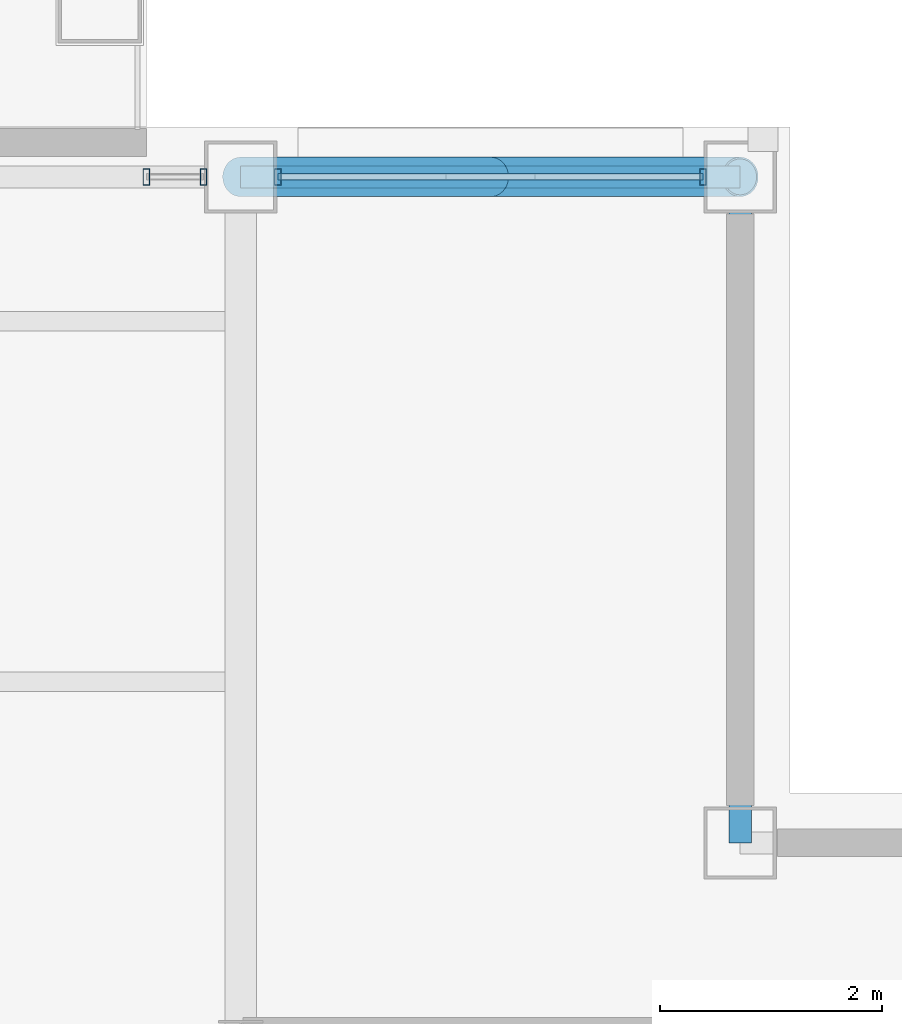
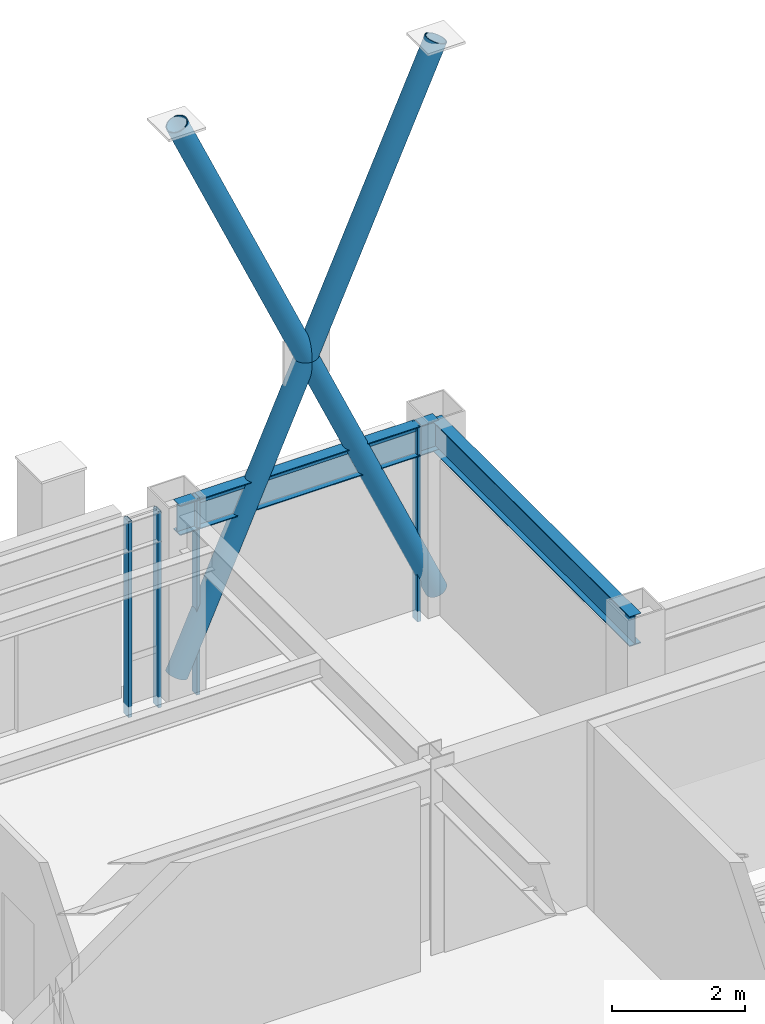
# One storey, part 20 of 28: 8 members, 2 beams, 2 elements without a shape of their own.
"""IFC4 building model written with IfcOpenShell, lengths in metres."""

from ifc_helpers import new_model, si_unit, direction, frame, origin, origin_2d, place, context, subcontext, project, spatial, hollow_rectangle, hollow_circle, i_section, extrude, material, layer, layer_set, material_profile, profile_set, type_object, element, aggregate, save


model = new_model("IFC4")

# Units and contexts
model_context = context("Model", 3, precision=1e-05, world=origin(), true_north=direction((0.0, 1.0)))
body_context = subcontext(model_context, "Body", "Model", "MODEL_VIEW")
ifc_project = project(units=[si_unit("LENGTHUNIT", "METRE"), si_unit("AREAUNIT", "SQUARE_METRE"), si_unit("VOLUMEUNIT", "CUBIC_METRE"), si_unit("PLANEANGLEUNIT", "RADIAN"), si_unit("MASSUNIT", "GRAM", prefix="KILO")], contexts=[model_context])

# Site, building, storey
site_placement = place(None, origin())
site = spatial("IfcSite", under=ifc_project, at=site_placement, CompositionType="ELEMENT")
building_placement = place(site_placement, origin())
building = spatial("IfcBuilding", under=site, at=building_placement, Name="Brelmoor Portico Tower", CompositionType="ELEMENT")
storey_placement = place(building_placement, frame((0.0, 0.0, 225.60009765625)))
storey = spatial("IfcBuildingStorey", under=building, at=storey_placement, Name="L59", CompositionType="ELEMENT", Elevation=225.60009765625)

# Beams
ifc_material_1 = material(Name="Steel Q355B", Category="steel")
ifc_material_profile_1 = material_profile(ifc_material_1, i_section(OverallWidth=0.199951171875, OverallDepth=0.550048828125, WebThickness=0.010009765625, FlangeThickness=0.01611328125, at=origin_2d()), Name="HN 550x200x10x16")
ifc_profile_set_1 = profile_set([ifc_material_profile_1], Name="Steel Q355B")
beam_type = type_object("IfcBeamType", Name="BM-SP-550", PredefinedType="SPANDREL", material=ifc_profile_set_1)
beam_1_placement = place(storey_placement, frame((8.050048828125, 17.550048828125, 3.125), z_axis=(1.0, 0.0, 0.0), x_axis=(0.0, 1.0, 0.0)))
element("IfcBeam", 1, at=beam_1_placement, inside=storey, type_object=beam_type, Name="L59 Perimeter Spandrel Beam SP-10", PredefinedType="SPANDREL", context=body_context, shape_type="SweptSolid", body=[
    extrude(i_section(OverallWidth=0.199951171875, OverallDepth=0.550048828125, WebThickness=0.010009765625, FlangeThickness=0.01611328125, at=origin_2d()), origin(), (0.0, 0.0, 1.0), 4.5),
])
beam_2_placement = place(storey_placement, frame((12.550048828125, 11.550048828125, 3.125), z_axis=(0.0, 1.0, 0.0), x_axis=(-1.0, 0.0, 0.0)))
element("IfcBeam", 2, at=beam_2_placement, inside=storey, type_object=beam_type, Name="L59 Perimeter Spandrel Beam SP-17", PredefinedType="SPANDREL", context=body_context, shape_type="SweptSolid", body=[
    extrude(i_section(OverallWidth=0.199951171875, OverallDepth=0.550048828125, WebThickness=0.010009765625, FlangeThickness=0.01611328125, at=origin_2d()), origin(), (0.0, 0.0, 1.0), 6.0),
])

# Members
ifc_material_profile_2 = material_profile(ifc_material_1, hollow_circle(Radius=0.177978515625, WallThickness=0.01611328125, at=origin_2d()), Name="CHS 356x16")
ifc_profile_set_2 = profile_set([ifc_material_profile_2], Name="Steel Q355B")
member_type_1 = type_object("IfcMemberType", Name="MB-BELT-DIAG2", PredefinedType="BRACE", material=ifc_profile_set_2)
member_1_placement = place(storey_placement, frame((8.050048828125, 17.550048828125, 0.25), z_axis=(0.406982348496, 0.0, 0.913436022945), x_axis=(0.0, 1.0, 0.0)))
element("IfcMember", 3, at=member_1_placement, inside=storey, type_object=member_type_1, Name="L59 Continuous Mega-X Brace 137A", PredefinedType="BRACE", context=body_context, shape_type="SweptSolid", body=[
    extrude(hollow_circle(Radius=0.177978515625, WallThickness=0.01611328125, at=origin_2d()), origin(), (0.0, 0.0, 1.0), 11.056884765625),
])
member_2_placement = place(storey_placement, frame((12.550048828125, 17.550048828125, 0.25), z_axis=(-0.406990557013, 0.0, 0.913432365587), x_axis=(0.0, -1.0, 0.0)))
element("IfcMember", 4, at=member_2_placement, inside=storey, type_object=member_type_1, Name="L59 Split Mega-X Brace 137B1", PredefinedType="BRACE", context=body_context, shape_type="SweptSolid", body=[
    extrude(hollow_circle(Radius=0.177978515625, WallThickness=0.01611328125, at=origin_2d()), origin(), (0.0, 0.0, 1.0), 5.5283203125),
])
member_3_placement = place(storey_placement, frame((10.300048828125, 17.550048828125, 5.2998046875), z_axis=(-0.406974140277, 0.0, 0.913439680081), x_axis=(0.0, -1.0, 0.0)))
element("IfcMember", 5, at=member_3_placement, inside=storey, type_object=member_type_1, Name="L59 Split Mega-X Brace 137B2", PredefinedType="BRACE", context=body_context, shape_type="SweptSolid", body=[
    extrude(hollow_circle(Radius=0.177978515625, WallThickness=0.01611328125, at=origin_2d()), origin(), (0.0, 0.0, 1.0), 5.528564453125),
])

# Curtain wall, members
ifc_material_2 = material(Name="Anodised Aluminium Alloy 6063-T6", Category="aluminium")
ifc_layer_1 = layer(ifc_material_2, 0.179931640625)
ifc_layer_set_1 = layer_set([ifc_layer_1], Name="Anodised Aluminium Alloy 6063-T6")
curtain_wall_type_1 = type_object("IfcCurtainWallType", Name="CW-TOWER-Z4", PredefinedType="NOTDEFINED", material=ifc_layer_set_1)
curtain_wall_1_placement = place(storey_placement, origin())
curtain_wall_1 = element("IfcCurtainWall", 6, at=curtain_wall_1_placement, inside=storey, type_object=curtain_wall_type_1, Name="L59 Curtain Wall CW-L59-2R-1", PredefinedType="NOTDEFINED")
ifc_material_profile_3 = material_profile(ifc_material_2, hollow_rectangle(XDim=0.06005859375, YDim=0.14990234375, WallThickness=0.00390625, at=origin_2d()), Name="ALU MULLION 60x150")
ifc_profile_set_3 = profile_set([ifc_material_profile_3], Name="Anodised Aluminium Alloy 6063-T6")
member_type_2 = type_object("IfcMemberType", Name="MB-CW-MULL-150", PredefinedType="MULLION", material=ifc_profile_set_3)
member_4_placement = place(storey_placement, frame((7.199951171875, 17.550048828125, -0.2001953125), z_axis=(0.0, 0.0, 1.0), x_axis=(1.0, 0.0, 0.0)))
member_4 = element("IfcMember", 7, at=member_4_placement, type_object=member_type_2, Name="CW-L59-2R-1 Mullion 00", PredefinedType="MULLION", context=body_context, shape_type="SweptSolid", body=[
    extrude(hollow_rectangle(XDim=0.06005859375, YDim=0.14990234375, WallThickness=0.00390625, at=origin_2d()), origin(), (0.0, 0.0, 1.0), 3.60009765625),
])
member_5_placement = place(storey_placement, frame((7.715087890625, 17.550048828125, -0.2001953125), z_axis=(0.0, 0.0, 1.0), x_axis=(1.0, 0.0, 0.0)))
member_5 = element("IfcMember", 8, at=member_5_placement, type_object=member_type_2, Name="CW-L59-2R-1 Mullion 01", PredefinedType="MULLION", context=body_context, shape_type="SweptSolid", body=[
    extrude(hollow_rectangle(XDim=0.06005859375, YDim=0.14990234375, WallThickness=0.00390625, at=origin_2d()), origin(), (0.0, 0.0, 1.0), 3.60009765625),
])
aggregate(curtain_wall_1, [member_4, member_5])

ifc_layer_2 = layer(ifc_material_2, 0.179931640625)
ifc_layer_set_2 = layer_set([ifc_layer_2], Name="Anodised Aluminium Alloy 6063-T6")
curtain_wall_type_2 = type_object("IfcCurtainWallType", Name="CW-TOWER-Z4-XB", PredefinedType="NOTDEFINED", material=ifc_layer_set_2)
curtain_wall_2_placement = place(storey_placement, origin())
curtain_wall_2 = element("IfcCurtainWall", 9, at=curtain_wall_2_placement, inside=storey, type_object=curtain_wall_type_2, Name="L59 Curtain Wall CW-L59-2R-2", PredefinedType="NOTDEFINED")
member_6_placement = place(storey_placement, frame((8.385009765625, 17.550048828125, -0.2001953125), z_axis=(0.0, 0.0, 1.0), x_axis=(1.0, 0.0, 0.0)))
member_6 = element("IfcMember", 10, at=member_6_placement, type_object=member_type_2, Name="CW-L59-2R-2 Mullion 00", PredefinedType="MULLION", context=body_context, shape_type="SweptSolid", body=[
    extrude(hollow_rectangle(XDim=0.06005859375, YDim=0.14990234375, WallThickness=0.00390625, at=origin_2d()), origin(), (0.0, 0.0, 1.0), 3.60009765625),
])
member_7_placement = place(storey_placement, frame((12.215087890625, 17.550048828125, -0.2001953125), z_axis=(0.0, 0.0, 1.0), x_axis=(1.0, 0.0, 0.0)))
member_7 = element("IfcMember", 11, at=member_7_placement, type_object=member_type_2, Name="CW-L59-2R-2 Mullion 01", PredefinedType="MULLION", context=body_context, shape_type="SweptSolid", body=[
    extrude(hollow_rectangle(XDim=0.06005859375, YDim=0.14990234375, WallThickness=0.00390625, at=origin_2d()), origin(), (0.0, 0.0, 1.0), 3.60009765625),
])
ifc_material_profile_4 = material_profile(ifc_material_2, hollow_rectangle(XDim=0.06005859375, YDim=0.125, WallThickness=0.00341796875, at=origin_2d()), Name="ALU TRANSOM 60x125")
ifc_profile_set_4 = profile_set([ifc_material_profile_4], Name="Anodised Aluminium Alloy 6063-T6")
member_type_3 = type_object("IfcMemberType", Name="MB-CW-TRAN-125", PredefinedType="USERDEFINED", material=ifc_profile_set_4)
member_8_placement = place(storey_placement, frame((8.385009765625, 17.550048828125, 3.33740234375), z_axis=(1.0, 0.0, 0.0), x_axis=(0.0, 1.0, 0.0)))
member_8 = element("IfcMember", 12, at=member_8_placement, type_object=member_type_3, Name="CW-L59-2R-2 Transom 1-00", ObjectType="TRANSOM", PredefinedType="USERDEFINED", context=body_context, shape_type="SweptSolid", body=[
    extrude(hollow_rectangle(XDim=0.06005859375, YDim=0.125, WallThickness=0.00341796875, at=origin_2d()), origin(), (0.0, 0.0, 1.0), 3.830078125),
])
aggregate(curtain_wall_2, [member_6, member_7, member_8])

save(model, "model.ifc")
